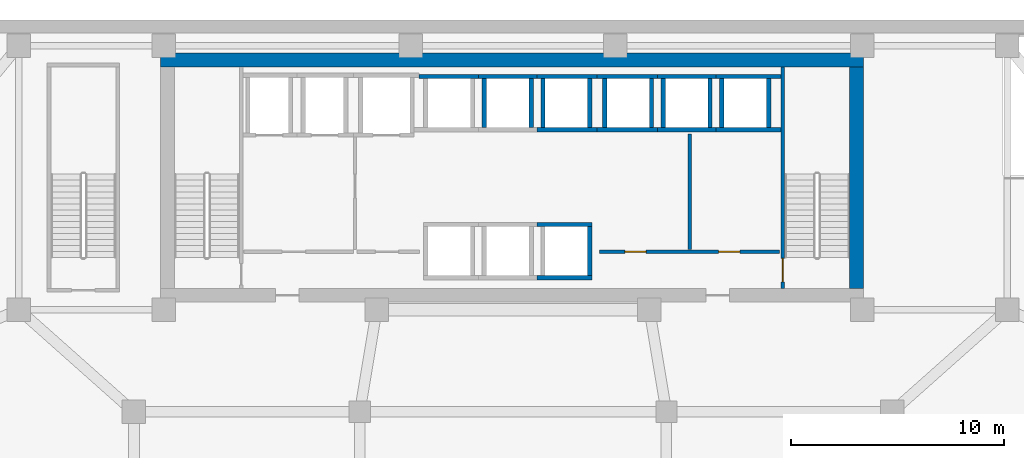
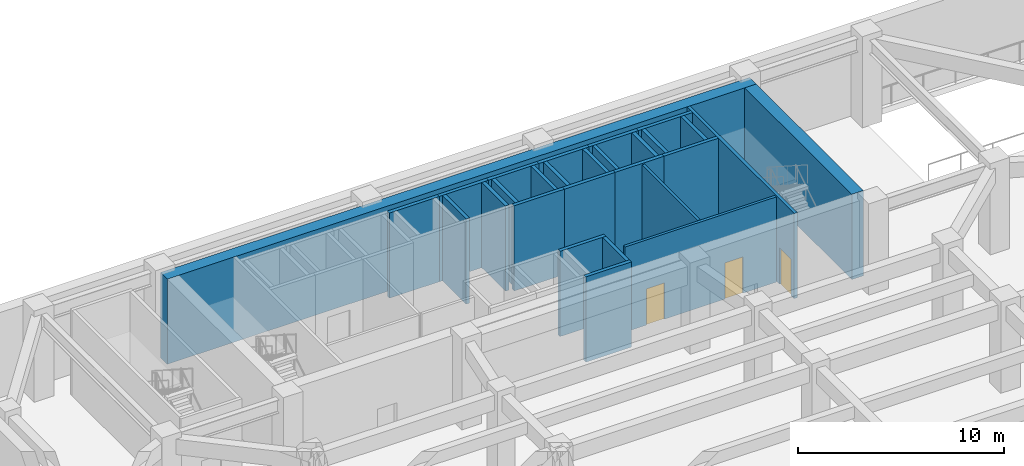
# One storey, part 7 of 14: 28 walls, 3 doors, 3 openings.
"""IFC4 building model written with IfcOpenShell, lengths in metres."""

import ifcopenshell
import ifcopenshell.guid

model = None  # the IFC model being written
_history = None  # IfcOwnerHistory: only IFC2X3 demands one
_inside = {}  # id of a spatial element -> (the spatial element, [elements in it])
_under = {}  # id of a project, library or spatial element -> (it, [spatial elements below it])
_declared = {}  # id of a project -> (the project, [libraries it declares])
_typed = {}  # id of a type object -> (the type object, [elements of that type])
_made_of = {}  # id of a material, layer set ... -> (it, [elements and type objects made of it])


def new_model(schema):
    """Start an empty IFC model of exactly this schema.

    Asked for "IFC4X3", IfcOpenShell would pick the latest addendum, in which some entities
    have other attributes; the version numbers below select the first issue.
    IFC2X3 requires an IfcOwnerHistory on every rooted entity: one is made here for all.
    """
    global model, _history
    if schema == "IFC4X3":
        model = ifcopenshell.file(schema_version=(4, 3, 0, 0))
    else:
        model = ifcopenshell.file(schema=schema)
    _inside.clear()
    _under.clear()
    _declared.clear()
    _typed.clear()
    _made_of.clear()
    _history = None
    if model.schema == "IFC2X3":
        org = make("IfcOrganization", Name="unknown")
        user = make(
            "IfcPersonAndOrganization",
            ThePerson=make("IfcPerson", FamilyName="unknown"),
            TheOrganization=org,
        )
        app = make(
            "IfcApplication",
            ApplicationDeveloper=org,
            Version="unknown",
            ApplicationFullName="unknown",
            ApplicationIdentifier="unknown",
        )
        _history = make(
            "IfcOwnerHistory",
            OwningUser=user,
            OwningApplication=app,
            ChangeAction="ADDED",
            CreationDate=0,
        )
    return model


def make(cls, **values):
    """One entity of the class cls with the attributes given. An attribute that is None is left unset."""
    return model.create_entity(
        cls, **{name: value for name, value in values.items() if value is not None}
    )


def rooted(cls, **values):
    """An entity with a GlobalId (a new one), such as an element, a storey or a relation."""
    return make(cls, GlobalId=ifcopenshell.guid.new(), OwnerHistory=_history, **values)


def si_unit(unit_type, name, prefix=None):
    """IfcSIUnit, for example si_unit("LENGTHUNIT", "METRE", prefix="MILLI")."""
    return make("IfcSIUnit", UnitType=unit_type, Prefix=prefix, Name=name)


def assignment(units):
    """IfcUnitAssignment: the units of a project."""
    return None if units is None else make("IfcUnitAssignment", Units=units)


def point(xyz):
    """IfcCartesianPoint."""
    return None if xyz is None else make("IfcCartesianPoint", Coordinates=xyz)


def direction(xyz):
    """IfcDirection."""
    return None if xyz is None else make("IfcDirection", DirectionRatios=xyz)


def frame(location, z_axis=None, x_axis=None):
    """IfcAxis2Placement3D, a coordinate frame: its origin and axes. An axis left out is left unset."""
    return make(
        "IfcAxis2Placement3D",
        Location=point(location),
        Axis=direction(z_axis),
        RefDirection=direction(x_axis),
    )


def frame_2d(location, x_axis=None):
    """IfcAxis2Placement2D, a coordinate frame in the plane: its origin and x axis."""
    return make(
        "IfcAxis2Placement2D", Location=point(location), RefDirection=direction(x_axis)
    )


def origin():
    """The frame at (0, 0, 0) with its axes left unset."""
    return frame((0.0, 0.0, 0.0))


def place(relative_to, where):
    """IfcLocalPlacement: puts the frame where relative to a parent placement (None: the world)."""
    return make(
        "IfcLocalPlacement", PlacementRelTo=relative_to, RelativePlacement=where
    )


def context(
    kind, dimensions, precision=None, world=None, true_north=None, identifier=None
):
    """IfcGeometricRepresentationContext, for example the 3D "Model" context."""
    return make(
        "IfcGeometricRepresentationContext",
        ContextIdentifier=identifier,
        ContextType=kind,
        CoordinateSpaceDimension=dimensions,
        Precision=precision,
        WorldCoordinateSystem=world,
        TrueNorth=true_north,
    )


def subcontext(parent, identifier, kind, view, scale=None):
    """IfcGeometricRepresentationSubContext, for example "Body" below "Model"."""
    return make(
        "IfcGeometricRepresentationSubContext",
        ContextIdentifier=identifier,
        ContextType=kind,
        ParentContext=parent,
        TargetScale=scale,
        TargetView=view,
    )


def project(units=None, contexts=None):
    """IfcProject with its units and contexts."""
    return rooted(
        "IfcProject",
        Name="project",
        RepresentationContexts=contexts,
        UnitsInContext=assignment(units),
    )


def spatial(cls, under=None, at=None, **own):
    """A site, building, storey or space (cls), placed at a placement, below another one or the project."""
    s = rooted(cls, ObjectPlacement=at, **own)
    if under is not None:
        _under.setdefault(under.id(), (under, []))[1].append(s)
    return s


def profile(cls, at=None, kind="AREA", **sizes):
    """A parametric profile (cls). Its sizes go by their IFC names, for example OverallWidth=200.0."""
    return make(cls, ProfileType=kind, Position=at, **sizes)


def rectangle(**sizes):
    """IfcRectangleProfileDef."""
    return profile("IfcRectangleProfileDef", **sizes)


def extrude(swept, where, along, depth):
    """IfcExtrudedAreaSolid: the profile swept, set in the frame where, extruded along a direction by depth."""
    return make(
        "IfcExtrudedAreaSolid",
        SweptArea=swept,
        Position=where,
        ExtrudedDirection=direction(along),
        Depth=depth,
    )


def shape(context_of_items, identifier, shape_type, items):
    """IfcShapeRepresentation: the items that make up one representation, for example the "Body"."""
    return make(
        "IfcShapeRepresentation",
        ContextOfItems=context_of_items,
        RepresentationIdentifier=identifier,
        RepresentationType=shape_type,
        Items=items,
    )


def material(Name=None, Category=None):
    """IfcMaterial."""
    return make("IfcMaterial", Name=Name, Category=Category)


def layer(
    of_material, thickness, ventilated=None, Name=None, Category=None, Priority=None
):
    """IfcMaterialLayer: one layer of a wall or slab, of a material (None: an air gap)."""
    return make(
        "IfcMaterialLayer",
        Material=of_material,
        LayerThickness=thickness,
        IsVentilated=ventilated,
        Name=Name,
        Category=Category,
        Priority=Priority,
    )


def layer_set(layers, Name=None):
    """IfcMaterialLayerSet."""
    return make("IfcMaterialLayerSet", MaterialLayers=layers, LayerSetName=Name)


def made_of(thing, what):
    """Note that an element or type object is made of a material, layer set ...; save() writes the relation."""
    if what is not None:
        _made_of.setdefault(what.id(), (what, []))[1].append(thing)
    return thing


def type_object(cls, material=None, **own):
    """A type object (cls), such as IfcWallType, which elements share."""
    return made_of(rooted(cls, **own), material)


def element(
    cls,
    number,
    at=None,
    inside=None,
    cuts=None,
    type_object=None,
    material=None,
    context=None,
    identifier="Body",
    shape_type=None,
    held_by="IfcProductDefinitionShape",
    body=None,
    shapes=None,
    **own,
):
    """One element of the class cls, such as IfcWall. Its Tag is "e" and its number.

    at: its placement. inside: the storey or other place that contains it. cuts: it is an
    opening in that element (IfcRelVoidsElement). A single representation is given by context,
    identifier, shape_type and body (its items); several are given by shapes. held_by: the class
    of the entity that holds the representations. save() writes the other relations.
    """
    e = rooted(cls, Tag="e%d" % number, ObjectPlacement=at, **own)
    if body is not None:
        shapes = [shape(context, identifier, shape_type, body)]
    if shapes is not None:
        e.Representation = make(held_by, Representations=shapes)
    if inside is not None:
        _inside.setdefault(inside.id(), (inside, []))[1].append(e)
    if cuts is not None:
        rooted(
            "IfcRelVoidsElement", RelatingBuildingElement=cuts, RelatedOpeningElement=e
        )
    if type_object is not None:
        _typed.setdefault(type_object.id(), (type_object, []))[1].append(e)
    return made_of(e, material)


def fill(opening, filler):
    """IfcRelFillsElement: the door or window that sits in an opening."""
    return rooted(
        "IfcRelFillsElement",
        RelatingOpeningElement=opening,
        RelatedBuildingElement=filler,
    )


def aggregate(whole, parts):
    """IfcRelAggregates: a whole, such as a stair, and the parts it consists of."""
    return rooted("IfcRelAggregates", RelatingObject=whole, RelatedObjects=parts)


def save(model, path):
    """Write the relations noted so far, then the file.

    IfcRelAggregates (storeys below a building ...), IfcRelContainedInSpatialStructure (elements
    in a storey), IfcRelDefinesByType, IfcRelAssociatesMaterial and IfcRelDeclares: one each for
    every whole, place, type object, material and project.
    """
    for whole, parts in _under.values():
        aggregate(whole, parts)
    for where, things in _inside.values():
        rooted(
            "IfcRelContainedInSpatialStructure",
            RelatedElements=things,
            RelatingStructure=where,
        )
    for kind, things in _typed.values():
        rooted("IfcRelDefinesByType", RelatedObjects=things, RelatingType=kind)
    for what, things in _made_of.values():
        rooted("IfcRelAssociatesMaterial", RelatedObjects=things, RelatingMaterial=what)
    for by, libraries in _declared.values():
        rooted("IfcRelDeclares", RelatingContext=by, RelatedDefinitions=libraries)
    model.write(path)


model = new_model("IFC4")

# Units and contexts
model_context = context("Model", 3, precision=1e-05, world=origin(), true_north=direction((0.0, 1.0)))
body_context = subcontext(model_context, "Body", "Model", "MODEL_VIEW")
ifc_project = project(units=[si_unit("LENGTHUNIT", "METRE"), si_unit("AREAUNIT", "SQUARE_METRE"), si_unit("VOLUMEUNIT", "CUBIC_METRE"), si_unit("PLANEANGLEUNIT", "RADIAN"), si_unit("MASSUNIT", "GRAM", prefix="KILO")], contexts=[model_context])

# Site, building, storey
site_placement = place(None, origin())
site = spatial("IfcSite", under=ifc_project, at=site_placement, CompositionType="ELEMENT")
building_placement = place(site_placement, origin())
building = spatial("IfcBuilding", under=site, at=building_placement, Name="Saevonmaru Cultural Tower", CompositionType="ELEMENT")
storey_placement = place(building_placement, frame((0.0, 0.0, -5.39990234375)))
storey = spatial("IfcBuildingStorey", under=building, at=storey_placement, Name="B1", CompositionType="ELEMENT", Elevation=-5.39990234375)

# Walls
ifc_material_1 = material(Name="Concrete C60/75", Category="concrete")
ifc_layer_1 = layer(ifc_material_1, 0.64990234375, Name="Concrete C60/75")
ifc_layer_set_1 = layer_set([ifc_layer_1], Name="Concrete C60/75")
wall_type_1 = type_object("IfcWallType", Name="WL-CORE-650", PredefinedType="SHEAR", material=ifc_layer_set_1)
wall_1_placement = place(storey_placement, frame((13.449951171875, 54.125, 0.0), z_axis=(0.0, 0.0, 1.0), x_axis=(1.0, 0.0, 0.0)))
element("IfcWall", 1, at=wall_1_placement, inside=storey, type_object=wall_type_1, Name="B1 Tower RC core shear wall N", PredefinedType="SHEAR", context=body_context, shape_type="SweptSolid", body=[
    extrude(rectangle(XDim=33.0, YDim=0.64990234375, at=frame_2d((16.5, 0.0))), origin(), (0.0, 0.0, 1.0), 5.0498046875),
])
wall_2_placement = place(storey_placement, frame((46.125, 43.39990234375, 0.0), z_axis=(0.0, 0.0, 1.0), x_axis=(0.0, 1.0, 0.0)))
element("IfcWall", 2, at=wall_2_placement, inside=storey, type_object=wall_type_1, Name="B1 Tower RC core shear wall E", PredefinedType="SHEAR", context=body_context, shape_type="SweptSolid", body=[
    extrude(rectangle(XDim=10.400146484375, YDim=0.64990234375, at=frame_2d((5.2001953125, 0.0))), origin(), (0.0, 0.0, 1.0), 5.0498046875),
])

# Wall, openings, doors
ifc_material_2 = material(Name="Gypsum Fireboard Partition", Category="gypsum")
ifc_layer_2 = layer(ifc_material_2, 0.14990234375, Name="Gypsum Fireboard Partition")
ifc_layer_set_2 = layer_set([ifc_layer_2], Name="Gypsum Fireboard Partition")
wall_type_2 = type_object("IfcWallType", Name="WL-CORE-PART-150", PredefinedType="PARTITIONING", material=ifc_layer_set_2)
wall_3_placement = place(storey_placement, frame((34.050048828125, 45.1201171875, 0.0), z_axis=(0.0, 0.0, 1.0), x_axis=(1.0, 0.0, 0.0)))
wall_3 = element("IfcWall", 3, at=wall_3_placement, inside=storey, type_object=wall_type_2, Name="B1 Basement Core Plant Wall", PredefinedType="PARTITIONING", context=body_context, shape_type="SweptSolid", body=[
    extrude(rectangle(XDim=8.469970703125, YDim=0.14990234375, at=frame_2d((4.23486328125, 0.0))), origin(), (0.0, 0.0, 1.0), 5.0498046875),
])
opening_1_placement = place(wall_3_placement, frame((1.199951171875, 0.0, 0.0)))
opening_1 = element("IfcOpeningElement", 4, at=opening_1_placement, cuts=wall_3, Name="Opening FD-3", PredefinedType="OPENING", context=body_context, shape_type="SweptSolid", body=[
    extrude(rectangle(XDim=1.0, YDim=2.14990234375, at=frame_2d((0.5, 1.074951171875))), frame((0.0, 0.0849609375, 0.0), z_axis=(0.0, -1.0, 0.0), x_axis=(1.0, 0.0, 0.0)), (0.0, 0.0, 1.0), 0.169921875),
])
opening_2_placement = place(wall_3_placement, frame((5.60009765625, 0.0, 0.0)))
opening_2 = element("IfcOpeningElement", 5, at=opening_2_placement, cuts=wall_3, Name="Opening FD-3", PredefinedType="OPENING", context=body_context, shape_type="SweptSolid", body=[
    extrude(rectangle(XDim=1.0, YDim=2.14990234375, at=frame_2d((0.5, 1.074951171875))), frame((0.0, 0.0849609375, 0.0), z_axis=(0.0, -1.0, 0.0), x_axis=(1.0, 0.0, 0.0)), (0.0, 0.0, 1.0), 0.169921875),
])
ifc_material_3 = material(Name="Satin Bronze Anodised Aluminium", Category="aluminium")
door_type_1 = type_object("IfcDoorType", Name="DR-FD60-1000", OperationType="SINGLE_SWING_RIGHT", PredefinedType="DOOR", material=ifc_material_3)
door_1_placement = place(opening_1_placement, origin())
door_1 = element("IfcDoor", 6, at=door_1_placement, inside=storey, type_object=door_type_1, Name="B1 Smoke Extract Plant Door", OperationType="SINGLE_SWING_RIGHT", OverallHeight=2.14990234375, OverallWidth=1.0, PredefinedType="DOOR", context=body_context, shape_type="SweptSolid", body=[
    extrude(rectangle(XDim=1.0, YDim=2.14990234375, at=frame_2d((0.5, 1.074951171875))), frame((0.0, 0.02490234375, 0.0), z_axis=(0.0, -1.0, 0.0), x_axis=(1.0, 0.0, 0.0)), (0.0, 0.0, 1.0), 0.050048828125),
])
fill(opening_1, door_1)
door_2_placement = place(opening_2_placement, origin())
door_2 = element("IfcDoor", 7, at=door_2_placement, inside=storey, type_object=door_type_1, Name="B1 Main Switchroom Door", OperationType="SINGLE_SWING_RIGHT", OverallHeight=2.14990234375, OverallWidth=1.0, PredefinedType="DOOR", context=body_context, shape_type="SweptSolid", body=[
    extrude(rectangle(XDim=1.0, YDim=2.14990234375, at=frame_2d((0.5, 1.074951171875))), frame((0.0, 0.02490234375, 0.0), z_axis=(0.0, -1.0, 0.0), x_axis=(1.0, 0.0, 0.0)), (0.0, 0.0, 1.0), 0.050048828125),
])
fill(opening_2, door_2)

# Walls
wall_4_placement = place(storey_placement, frame((38.300048828125, 45.219970703125, 0.0), z_axis=(0.0, 0.0, 1.0), x_axis=(0.0, 1.0, 0.0)))
element("IfcWall", 8, at=wall_4_placement, inside=storey, type_object=wall_type_2, Name="B1 Basement Core Divider", PredefinedType="PARTITIONING", context=body_context, shape_type="SweptSolid", body=[
    extrude(rectangle(XDim=5.429931640625, YDim=0.14990234375, at=frame_2d((2.71484375, 0.0))), origin(), (0.0, 0.0, 1.0), 5.0498046875),
])
ifc_material_4 = material(Name="Concrete C40/50", Category="concrete")
ifc_layer_3 = layer(ifc_material_4, 0.199951171875, Name="Concrete C40/50")
ifc_layer_set_3 = layer_set([ifc_layer_3], Name="Concrete C40/50")
wall_type_3 = type_object("IfcWallType", Name="WL-SHAFT-200", PredefinedType="SHEAR", material=ifc_layer_set_3)
wall_5_placement = place(storey_placement, frame((25.574951171875, 53.35009765625, 0.0), z_axis=(0.0, 0.0, 1.0), x_axis=(1.0, 0.0, 0.0)))
element("IfcWall", 9, at=wall_5_placement, inside=storey, type_object=wall_type_3, Name="B1 Lift PL-L1 Hoistway Wall N", PredefinedType="SHEAR", context=body_context, shape_type="SweptSolid", body=[
    extrude(rectangle(XDim=2.800048828125, YDim=0.199951171875, at=frame_2d((1.39990234375, 0.0))), origin(), (0.0, 0.0, 1.0), 5.0498046875),
])
wall_6_placement = place(storey_placement, frame((28.375, 53.35009765625, 0.0), z_axis=(0.0, 0.0, 1.0), x_axis=(1.0, 0.0, 0.0)))
element("IfcWall", 10, at=wall_6_placement, inside=storey, type_object=wall_type_3, Name="B1 Lift PL-L2 Hoistway Wall N", PredefinedType="SHEAR", context=body_context, shape_type="SweptSolid", body=[
    extrude(rectangle(XDim=2.75, YDim=0.199951171875, at=frame_2d((1.375, 0.0))), origin(), (0.0, 0.0, 1.0), 5.0498046875),
])
for number, where, z_axis, x_axis, name in (
    (11, (28.64990234375, 50.949951171875, 0.0), (0.0, 0.0, 1.0), (0.0, 1.0, 0.0), "B1 Lift PL-L2 Hoistway Wall W"),
    (12, (30.85009765625, 50.949951171875, 0.0), (0.0, 0.0, 1.0), (0.0, 1.0, 0.0), "B1 Lift PL-L2 Hoistway Wall E"),
):
    element("IfcWall", number, at=place(storey_placement, frame(where, z_axis=z_axis, x_axis=x_axis)), inside=storey, type_object=wall_type_3, Name=name, PredefinedType="SHEAR", context=body_context, shape_type="SweptSolid", body=[
        extrude(rectangle(XDim=2.300048828125, YDim=0.199951171875, at=frame_2d((1.14990234375, 0.0))), origin(), (0.0, 0.0, 1.0), 5.0498046875),
    ])
for number, where, z_axis, x_axis, name in (
    (13, (31.125, 50.85009765625, 0.0), (0.0, 0.0, 1.0), (1.0, 0.0, 0.0), "B1 Lift PL-L3 Hoistway Wall S"),
    (14, (31.125, 53.35009765625, 0.0), (0.0, 0.0, 1.0), (1.0, 0.0, 0.0), "B1 Lift PL-L3 Hoistway Wall N"),
):
    element("IfcWall", number, at=place(storey_placement, frame(where, z_axis=z_axis, x_axis=x_axis)), inside=storey, type_object=wall_type_3, Name=name, PredefinedType="SHEAR", context=body_context, shape_type="SweptSolid", body=[
        extrude(rectangle(XDim=2.824951171875, YDim=0.199951171875, at=frame_2d((1.41259765625, 0.0))), origin(), (0.0, 0.0, 1.0), 5.0498046875),
    ])
for number, where, z_axis, x_axis, name in (
    (15, (31.39990234375, 50.949951171875, 0.0), (0.0, 0.0, 1.0), (0.0, 1.0, 0.0), "B1 Lift PL-L3 Hoistway Wall W"),
    (16, (33.60009765625, 50.949951171875, 0.0), (0.0, 0.0, 1.0), (0.0, 1.0, 0.0), "B1 Lift PL-L3 Hoistway Wall E"),
):
    element("IfcWall", number, at=place(storey_placement, frame(where, z_axis=z_axis, x_axis=x_axis)), inside=storey, type_object=wall_type_3, Name=name, PredefinedType="SHEAR", context=body_context, shape_type="SweptSolid", body=[
        extrude(rectangle(XDim=2.300048828125, YDim=0.199951171875, at=frame_2d((1.14990234375, 0.0))), origin(), (0.0, 0.0, 1.0), 5.0498046875),
    ])
for number, where, z_axis, x_axis, name in (
    (17, (31.125, 43.89990234375, 0.0), (0.0, 0.0, 1.0), (1.0, 0.0, 0.0), "B1 Lift PL-M3 Hoistway Wall S"),
    (18, (31.125, 46.39990234375, 0.0), (0.0, 0.0, 1.0), (1.0, 0.0, 0.0), "B1 Lift PL-M3 Hoistway Wall N"),
):
    element("IfcWall", number, at=place(storey_placement, frame(where, z_axis=z_axis, x_axis=x_axis)), inside=storey, type_object=wall_type_3, Name=name, PredefinedType="SHEAR", context=body_context, shape_type="SweptSolid", body=[
        extrude(rectangle(XDim=2.574951171875, YDim=0.199951171875, at=frame_2d((1.28759765625, 0.0))), origin(), (0.0, 0.0, 1.0), 5.0498046875),
    ])
wall_7_placement = place(storey_placement, frame((33.60009765625, 44.0, 0.0), z_axis=(0.0, 0.0, 1.0), x_axis=(0.0, 1.0, 0.0)))
element("IfcWall", 19, at=wall_7_placement, inside=storey, type_object=wall_type_3, Name="B1 Lift PL-M3 Hoistway Wall E", PredefinedType="SHEAR", context=body_context, shape_type="SweptSolid", body=[
    extrude(rectangle(XDim=2.300048828125, YDim=0.199951171875, at=frame_2d((1.14990234375, 0.0))), origin(), (0.0, 0.0, 1.0), 5.0498046875),
])
for number, where, z_axis, x_axis, name in (
    (20, (33.949951171875, 50.85009765625, 0.0), (0.0, 0.0, 1.0), (1.0, 0.0, 0.0), "B1 Lift PL-H1 Hoistway Wall S"),
    (21, (33.949951171875, 53.35009765625, 0.0), (0.0, 0.0, 1.0), (1.0, 0.0, 0.0), "B1 Lift PL-H1 Hoistway Wall N"),
):
    element("IfcWall", number, at=place(storey_placement, frame(where, z_axis=z_axis, x_axis=x_axis)), inside=storey, type_object=wall_type_3, Name=name, PredefinedType="SHEAR", context=body_context, shape_type="SweptSolid", body=[
        extrude(rectangle(XDim=2.824951171875, YDim=0.199951171875, at=frame_2d((1.41259765625, 0.0))), origin(), (0.0, 0.0, 1.0), 5.0498046875),
    ])
for number, where, z_axis, x_axis, name in (
    (22, (34.300048828125, 50.949951171875, 0.0), (0.0, 0.0, 1.0), (0.0, 1.0, 0.0), "B1 Lift PL-H1 Hoistway Wall W"),
    (23, (36.5, 50.949951171875, 0.0), (0.0, 0.0, 1.0), (0.0, 1.0, 0.0), "B1 Lift PL-H1 Hoistway Wall E"),
):
    element("IfcWall", number, at=place(storey_placement, frame(where, z_axis=z_axis, x_axis=x_axis)), inside=storey, type_object=wall_type_3, Name=name, PredefinedType="SHEAR", context=body_context, shape_type="SweptSolid", body=[
        extrude(rectangle(XDim=2.300048828125, YDim=0.199951171875, at=frame_2d((1.14990234375, 0.0))), origin(), (0.0, 0.0, 1.0), 5.0498046875),
    ])
for number, where, z_axis, x_axis, name in (
    (24, (36.77490234375, 50.85009765625, 0.0), (0.0, 0.0, 1.0), (1.0, 0.0, 0.0), "B1 Lift PL-H2 Hoistway Wall S"),
    (25, (36.77490234375, 53.35009765625, 0.0), (0.0, 0.0, 1.0), (1.0, 0.0, 0.0), "B1 Lift PL-H2 Hoistway Wall N"),
):
    element("IfcWall", number, at=place(storey_placement, frame(where, z_axis=z_axis, x_axis=x_axis)), inside=storey, type_object=wall_type_3, Name=name, PredefinedType="SHEAR", context=body_context, shape_type="SweptSolid", body=[
        extrude(rectangle(XDim=2.75, YDim=0.199951171875, at=frame_2d((1.375, 0.0))), origin(), (0.0, 0.0, 1.0), 5.0498046875),
    ])
for number, where, z_axis, x_axis, name in (
    (26, (37.050048828125, 50.949951171875, 0.0), (0.0, 0.0, 1.0), (0.0, 1.0, 0.0), "B1 Lift PL-H2 Hoistway Wall W"),
    (27, (39.25, 50.949951171875, 0.0), (0.0, 0.0, 1.0), (0.0, 1.0, 0.0), "B1 Lift PL-H2 Hoistway Wall E"),
):
    element("IfcWall", number, at=place(storey_placement, frame(where, z_axis=z_axis, x_axis=x_axis)), inside=storey, type_object=wall_type_3, Name=name, PredefinedType="SHEAR", context=body_context, shape_type="SweptSolid", body=[
        extrude(rectangle(XDim=2.300048828125, YDim=0.199951171875, at=frame_2d((1.14990234375, 0.0))), origin(), (0.0, 0.0, 1.0), 5.0498046875),
    ])
for number, where, z_axis, x_axis, name in (
    (28, (39.52490234375, 50.85009765625, 0.0), (0.0, 0.0, 1.0), (1.0, 0.0, 0.0), "B1 Lift PL-H3 Hoistway Wall S"),
    (29, (39.52490234375, 53.35009765625, 0.0), (0.0, 0.0, 1.0), (1.0, 0.0, 0.0), "B1 Lift PL-H3 Hoistway Wall N"),
):
    element("IfcWall", number, at=place(storey_placement, frame(where, z_axis=z_axis, x_axis=x_axis)), inside=storey, type_object=wall_type_3, Name=name, PredefinedType="SHEAR", context=body_context, shape_type="SweptSolid", body=[
        extrude(rectangle(XDim=3.045166015625, YDim=0.199951171875, at=frame_2d((1.5224609375, 0.0))), origin(), (0.0, 0.0, 1.0), 5.0498046875),
    ])
for number, where, z_axis, x_axis, name in (
    (30, (39.800048828125, 50.949951171875, 0.0), (0.0, 0.0, 1.0), (0.0, 1.0, 0.0), "B1 Lift PL-H3 Hoistway Wall W"),
    (31, (42.0, 50.949951171875, 0.0), (0.0, 0.0, 1.0), (0.0, 1.0, 0.0), "B1 Lift PL-H3 Hoistway Wall E"),
):
    element("IfcWall", number, at=place(storey_placement, frame(where, z_axis=z_axis, x_axis=x_axis)), inside=storey, type_object=wall_type_3, Name=name, PredefinedType="SHEAR", context=body_context, shape_type="SweptSolid", body=[
        extrude(rectangle(XDim=2.300048828125, YDim=0.199951171875, at=frame_2d((1.14990234375, 0.0))), origin(), (0.0, 0.0, 1.0), 5.0498046875),
    ])

# Wall, opening, door
ifc_layer_4 = layer(ifc_material_4, 0.179931640625, Name="Concrete C40/50")
ifc_layer_set_4 = layer_set([ifc_layer_4], Name="Concrete C40/50")
wall_type_4 = type_object("IfcWallType", Name="WL-STSHAFT-180", PredefinedType="SHEAR", material=ifc_layer_set_4)
wall_8_placement = place(storey_placement, frame((42.659912109375, 53.800048828125, 0.0), z_axis=(0.0, 0.0, 1.0), x_axis=(0.0, -1.0, 0.0)))
wall_8 = element("IfcWall", 32, at=wall_8_placement, inside=storey, type_object=wall_type_4, Name="B1 Stair ST-2 Structural Shaft Wall 1", PredefinedType="SHEAR", context=body_context, shape_type="SweptSolid", body=[
    extrude(rectangle(XDim=10.400146484375, YDim=0.179931640625, at=frame_2d((5.2001953125, 0.0))), origin(), (0.0, 0.0, 1.0), 5.0498046875),
])
opening_3_placement = place(wall_8_placement, frame((8.989990234375, 0.0, 0.0)))
opening_3 = element("IfcOpeningElement", 33, at=opening_3_placement, cuts=wall_8, Name="Opening FD-2", PredefinedType="OPENING", context=body_context, shape_type="SweptSolid", body=[
    extrude(rectangle(XDim=1.10009765625, YDim=2.14990234375, at=frame_2d((0.550048828125, 1.074951171875))), frame((0.0, 0.10009765625, 0.0), z_axis=(0.0, -1.0, 0.0), x_axis=(1.0, 0.0, 0.0)), (0.0, 0.0, 1.0), 0.199951171875),
])
door_type_2 = type_object("IfcDoorType", Name="DR-FD60-1100", OperationType="SINGLE_SWING_LEFT", PredefinedType="DOOR", material=ifc_material_3)
door_3_placement = place(opening_3_placement, origin())
door_3 = element("IfcDoor", 34, at=door_3_placement, inside=storey, type_object=door_type_2, Name="B1 Protected Stair ST-2 Fire Door", OperationType="SINGLE_SWING_LEFT", OverallHeight=2.14990234375, OverallWidth=1.10009765625, PredefinedType="DOOR", context=body_context, shape_type="SweptSolid", body=[
    extrude(rectangle(XDim=1.10009765625, YDim=2.14990234375, at=frame_2d((0.550048828125, 1.074951171875))), frame((0.0, 0.02490234375, 0.0), z_axis=(0.0, -1.0, 0.0), x_axis=(1.0, 0.0, 0.0)), (0.0, 0.0, 1.0), 0.050048828125),
])
fill(opening_3, door_3)

save(model, "model.ifc")
